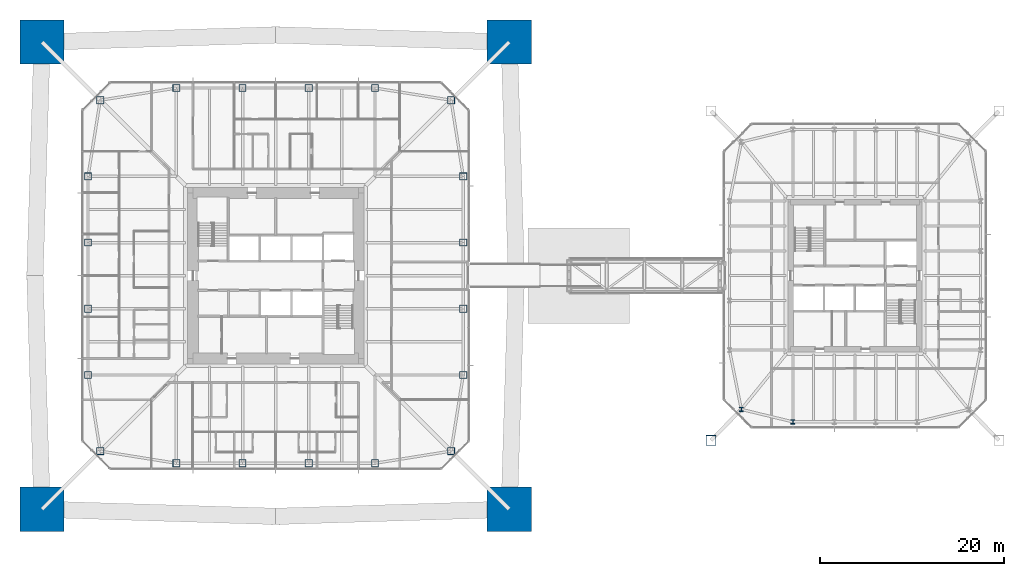
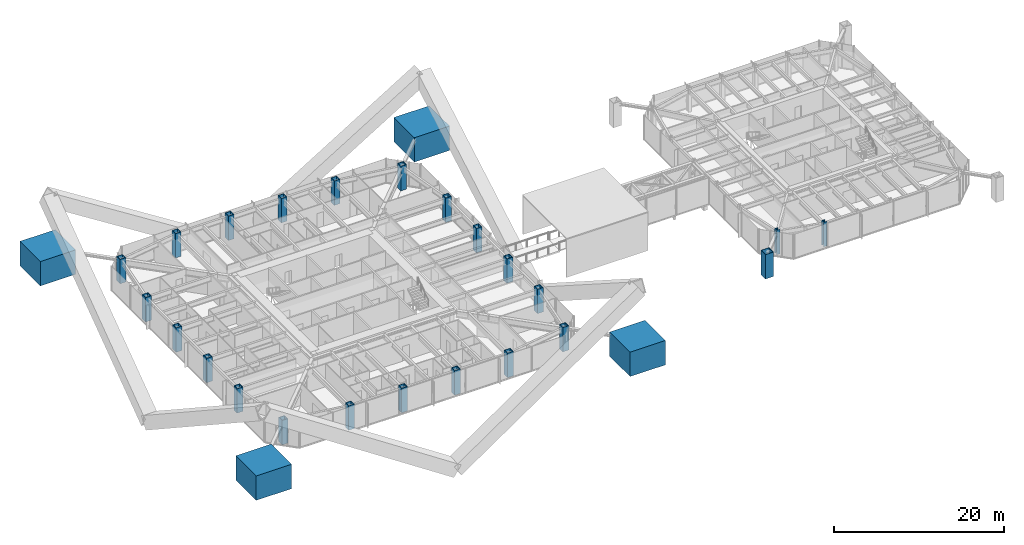
# One storey, part 1 of 28: 27 columns.
"""IFC4 building model written with IfcOpenShell, lengths in metres."""

from ifc_helpers import new_model, si_unit, direction, frame, origin, origin_2d, place, context, subcontext, project, spatial, rectangle, hollow_rectangle, i_section, extrude, material, material_profile, profile_set, type_object, element, save


model = new_model("IFC4")

# Units and contexts
model_context = context("Model", 3, precision=1e-05, world=origin(), true_north=direction((0.0, 1.0)))
body_context = subcontext(model_context, "Body", "Model", "MODEL_VIEW")
ifc_project = project(units=[si_unit("LENGTHUNIT", "METRE"), si_unit("AREAUNIT", "SQUARE_METRE"), si_unit("VOLUMEUNIT", "CUBIC_METRE"), si_unit("PLANEANGLEUNIT", "RADIAN"), si_unit("MASSUNIT", "GRAM", prefix="KILO")], contexts=[model_context])

# Site, building, storey
site_placement = place(None, origin())
site = spatial("IfcSite", under=ifc_project, at=site_placement, CompositionType="ELEMENT")
building_placement = place(site_placement, origin())
building = spatial("IfcBuilding", under=site, at=building_placement, Name="Iwan Alto Co-Living Towers", CompositionType="ELEMENT")
storey_placement = place(building_placement, frame((0.0, 0.0, 98.0)))
storey = spatial("IfcBuildingStorey", under=building, at=storey_placement, Name="L26", CompositionType="ELEMENT", Elevation=98.0)

# Columns
ifc_material_1 = material(Name="Concrete f'c 70 MPa", Category="concrete")
ifc_material_profile_1 = material_profile(ifc_material_1, rectangle(XDim=4.800048828125, YDim=4.800048828125, at=origin_2d()), Name="RC 4800X4800")
ifc_profile_set_1 = profile_set([ifc_material_profile_1], Name="Concrete f'c 70 MPa")
column_type_1 = type_object("IfcColumnType", Name="T1 MEGA COLUMN RC 4800X4800", PredefinedType="COLUMN", material=ifc_profile_set_1)
for number, where, z_axis, x_axis, name in (
    (1, (-25.39990234375, -25.39990234375, 0.0), (0.0, 0.0, 1.0), (1.0, 0.0, 0.0), "T1 mega column SW L26"),
    (2, (25.39990234375, -25.39990234375, 0.0), (0.0, 0.0, 1.0), (1.0, 0.0, 0.0), "T1 mega column SE L26"),
    (3, (25.39990234375, 25.39990234375, 0.0), (0.0, 0.0, 1.0), (1.0, 0.0, 0.0), "T1 mega column NE L26"),
    (4, (-25.39990234375, 25.39990234375, 0.0), (0.0, 0.0, 1.0), (1.0, 0.0, 0.0), "T1 mega column NW L26"),
):
    element("IfcColumn", number, at=place(storey_placement, frame(where, z_axis=z_axis, x_axis=x_axis)), inside=storey, type_object=column_type_1, Name=name, PredefinedType="COLUMN", context=body_context, shape_type="SweptSolid", body=[
        extrude(rectangle(XDim=4.800048828125, YDim=4.800048828125, at=origin_2d()), origin(), (0.0, 0.0, 1.0), 3.5),
        extrude(i_section(OverallWidth=0.4775390625, OverallDepth=0.599365234375, WebThickness=0.10009765625, FlangeThickness=0.139892578125, at=origin_2d()), origin(), (0.0, 0.0, 1.0), 3.5),
    ])
ifc_material_2 = material(Name="Steel ASTM A572 Gr 50", Category="steel")
ifc_material_profile_2 = material_profile(ifc_material_2, hollow_rectangle(XDim=0.800048828125, YDim=0.800048828125, WallThickness=0.070068359375, at=origin_2d()), Name="BOX 800X800X70")
ifc_profile_set_2 = profile_set([ifc_material_profile_2], Name="Steel ASTM A572 Gr 50")
column_type_2 = type_object("IfcColumnType", Name="T1 RING COLUMN BOX 800X800X70", PredefinedType="COLUMN", material=ifc_profile_set_2)
for number, where, z_axis, x_axis, name in (
    (5, (-19.07568359375, -19.07568359375, 0.0), (0.0, 0.0, 1.0), (1.0, 0.0, 0.0), "T1 ring column CSW L26"),
    (6, (-10.800048828125, -20.39990234375, 0.0), (0.0, 0.0, 1.0), (1.0, 0.0, 0.0), "T1 ring column S1 L26"),
    (7, (-3.60009765625, -20.39990234375, 0.0), (0.0, 0.0, 1.0), (1.0, 0.0, 0.0), "T1 ring column S2 L26"),
    (8, (3.60009765625, -20.39990234375, 0.0), (0.0, 0.0, 1.0), (1.0, 0.0, 0.0), "T1 ring column S3 L26"),
    (9, (10.800048828125, -20.39990234375, 0.0), (0.0, 0.0, 1.0), (1.0, 0.0, 0.0), "T1 ring column S4 L26"),
    (10, (19.07568359375, -19.07568359375, 0.0), (0.0, 0.0, 1.0), (1.0, 0.0, 0.0), "T1 ring column CSE L26"),
    (11, (20.39990234375, -10.800048828125, 0.0), (0.0, 0.0, 1.0), (1.0, 0.0, 0.0), "T1 ring column E1 L26"),
    (12, (20.39990234375, -3.60009765625, 0.0), (0.0, 0.0, 1.0), (1.0, 0.0, 0.0), "T1 ring column E2 L26"),
    (13, (20.39990234375, 3.60009765625, 0.0), (0.0, 0.0, 1.0), (1.0, 0.0, 0.0), "T1 ring column E3 L26"),
    (14, (20.39990234375, 10.800048828125, 0.0), (0.0, 0.0, 1.0), (1.0, 0.0, 0.0), "T1 ring column E4 L26"),
    (15, (19.07568359375, 19.07568359375, 0.0), (0.0, 0.0, 1.0), (1.0, 0.0, 0.0), "T1 ring column CNE L26"),
    (16, (10.800048828125, 20.39990234375, 0.0), (0.0, 0.0, 1.0), (1.0, 0.0, 0.0), "T1 ring column N1 L26"),
    (17, (3.60009765625, 20.39990234375, 0.0), (0.0, 0.0, 1.0), (1.0, 0.0, 0.0), "T1 ring column N2 L26"),
    (18, (-3.60009765625, 20.39990234375, 0.0), (0.0, 0.0, 1.0), (1.0, 0.0, 0.0), "T1 ring column N3 L26"),
    (19, (-10.800048828125, 20.39990234375, 0.0), (0.0, 0.0, 1.0), (1.0, 0.0, 0.0), "T1 ring column N4 L26"),
    (20, (-19.07568359375, 19.07568359375, 0.0), (0.0, 0.0, 1.0), (1.0, 0.0, 0.0), "T1 ring column CNW L26"),
    (21, (-20.39990234375, 10.800048828125, 0.0), (0.0, 0.0, 1.0), (1.0, 0.0, 0.0), "T1 ring column W1 L26"),
    (22, (-20.39990234375, 3.60009765625, 0.0), (0.0, 0.0, 1.0), (1.0, 0.0, 0.0), "T1 ring column W2 L26"),
    (23, (-20.39990234375, -3.60009765625, 0.0), (0.0, 0.0, 1.0), (1.0, 0.0, 0.0), "T1 ring column W3 L26"),
    (24, (-20.39990234375, -10.800048828125, 0.0), (0.0, 0.0, 1.0), (1.0, 0.0, 0.0), "T1 ring column W4 L26"),
):
    element("IfcColumn", number, at=place(storey_placement, frame(where, z_axis=z_axis, x_axis=x_axis)), inside=storey, type_object=column_type_2, Name=name, PredefinedType="COLUMN", context=body_context, shape_type="SweptSolid", body=[
        extrude(hollow_rectangle(XDim=0.800048828125, YDim=0.800048828125, WallThickness=0.070068359375, at=origin_2d()), origin(), (0.0, 0.0, 1.0), 3.5),
    ])
ifc_material_3 = material(Name="Steel ASTM A572 Gr 50", Category="steel")
ifc_material_profile_3 = material_profile(ifc_material_3, hollow_rectangle(XDim=1.10009765625, YDim=1.10009765625, WallThickness=0.06005859375, at=origin_2d()), Name="BOX 1100X1100X60")
ifc_profile_set_3 = profile_set([ifc_material_profile_3], Name="Steel ASTM A572 Gr 50")
column_type_3 = type_object("IfcColumnType", Name="T2 MEGA COLUMN BOX 1100X1100X60", PredefinedType="COLUMN", material=ifc_profile_set_3)
column_placement = place(storey_placement, frame((47.35009765625, -17.89990234375, 0.0), z_axis=(0.0, 0.0, 1.0), x_axis=(1.0, 0.0, 0.0)))
element("IfcColumn", 25, at=column_placement, inside=storey, type_object=column_type_3, Name="T2 mega column SW L26", PredefinedType="COLUMN", context=body_context, shape_type="SweptSolid", body=[
    extrude(hollow_rectangle(XDim=1.10009765625, YDim=1.10009765625, WallThickness=0.06005859375, at=origin_2d()), origin(), (0.0, 0.0, 1.0), 3.5),
])
ifc_material_4 = material(Name="Steel ASTM A992 Gr 50", Category="steel")
ifc_material_profile_4 = material_profile(ifc_material_4, i_section(OverallWidth=0.4267578125, OverallDepth=0.482666015625, WebThickness=0.05126953125, FlangeThickness=0.08154296875, at=origin_2d()), Name="W14X455")
ifc_profile_set_4 = profile_set([ifc_material_profile_4], Name="Steel ASTM A992 Gr 50")
column_type_4 = type_object("IfcColumnType", Name="T2 RING COLUMN W14X455", PredefinedType="COLUMN", material=ifc_profile_set_4)
for number, where, z_axis, x_axis, name in (
    (26, (50.638671875, -14.542724609375, 0.0), (0.0, 0.0, 1.0), (1.0, 0.0, 0.0), "T2 ring column CSW L26"),
    (27, (56.25, -15.89990234375, 0.0), (0.0, 0.0, 1.0), (1.0, 0.0, 0.0), "T2 ring column S1 L26"),
):
    element("IfcColumn", number, at=place(storey_placement, frame(where, z_axis=z_axis, x_axis=x_axis)), inside=storey, type_object=column_type_4, Name=name, PredefinedType="COLUMN", context=body_context, shape_type="SweptSolid", body=[
        extrude(i_section(OverallWidth=0.4267578125, OverallDepth=0.482666015625, WebThickness=0.05126953125, FlangeThickness=0.08154296875, at=origin_2d()), origin(), (0.0, 0.0, 1.0), 3.5),
    ])

save(model, "model.ifc")
